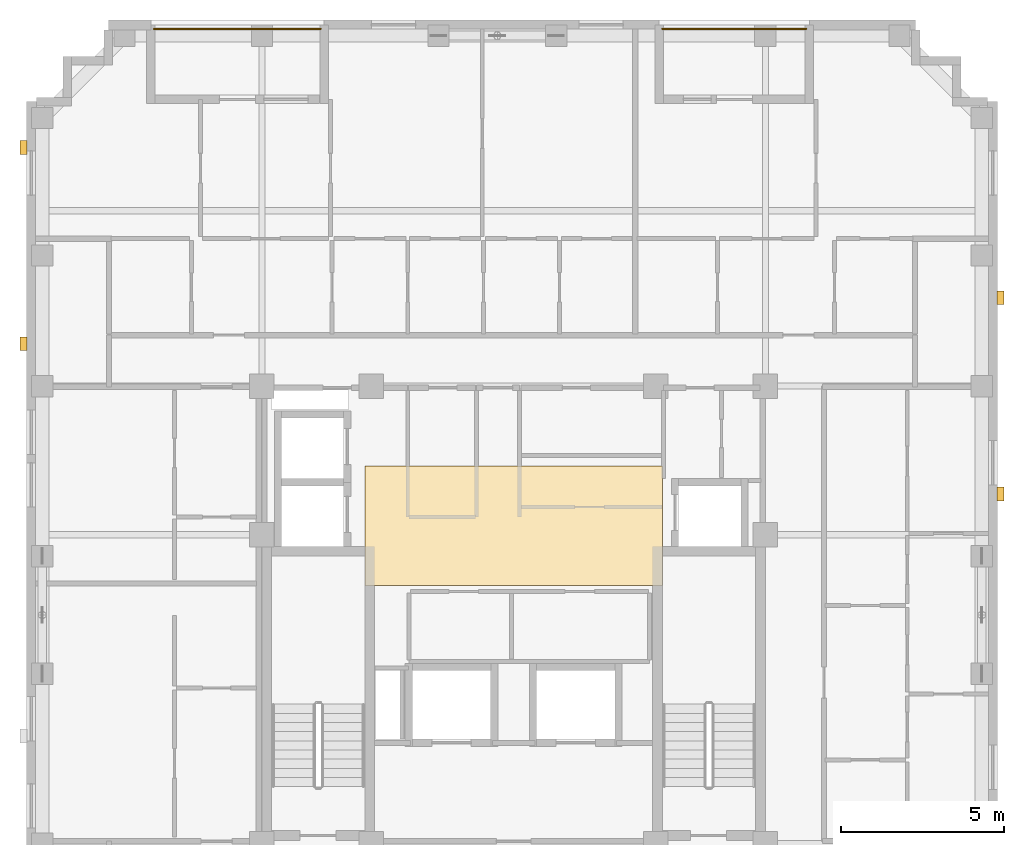
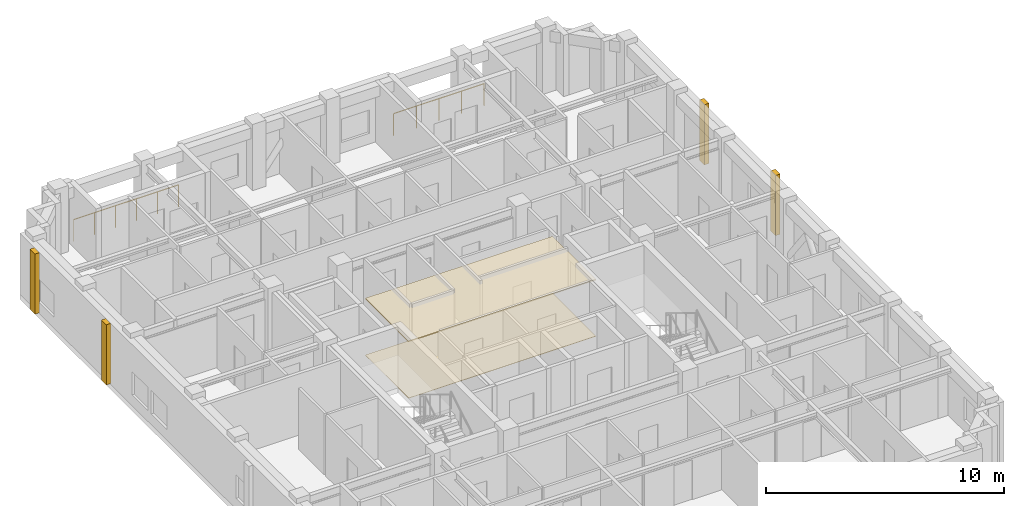
# One storey, part 11 of 11: 6 coverings, 2 railings.
"""IFC4 building model written with IfcOpenShell, lengths in metres."""

from ifc_helpers import new_model, si_unit, derived_unit, direction, frame, origin, origin_2d, place, context, subcontext, project, spatial, polyline, rectangle, circle, outline, extrude, material, layer, layer_set, type_object, element, save


model = new_model("IFC4")

# Units and contexts
model_context = context("Model", 3, precision=1e-05, world=origin(), true_north=direction((0.0, 1.0)))
body_context = subcontext(model_context, "Body", "Model", "MODEL_VIEW")
ifc_project = project(units=[si_unit("LENGTHUNIT", "METRE"), si_unit("AREAUNIT", "SQUARE_METRE"), si_unit("VOLUMEUNIT", "CUBIC_METRE"), si_unit("PLANEANGLEUNIT", "RADIAN"), si_unit("MASSUNIT", "GRAM", prefix="KILO"), derived_unit("THERMALTRANSMITTANCEUNIT", [(si_unit("MASSUNIT", "GRAM", prefix="KILO"), 1), (si_unit("TIMEUNIT", "SECOND"), -3), (si_unit("THERMODYNAMICTEMPERATUREUNIT", "KELVIN"), -1)])], contexts=[model_context])

# Site, building, storey
site_placement = place(None, origin())
site = spatial("IfcSite", under=ifc_project, at=site_placement, CompositionType="ELEMENT")
building_placement = place(site_placement, origin())
building = spatial("IfcBuilding", under=site, at=building_placement, Name="Korrvale Station Residences", CompositionType="ELEMENT")
storey_placement = place(building_placement, frame((0.0, 0.0, 254.699951171875)))
storey = spatial("IfcBuildingStorey", under=building, at=storey_placement, Name="L74", CompositionType="ELEMENT", Elevation=254.699951171875)

# Coverings
ifc_material_1 = material(Name="Perforated acoustic mineral-fibre suspended ceiling", Category="gypsum")
ifc_layer_1 = layer(ifc_material_1, 0.050048828125, Name="Perforated acoustic mineral-fibre suspended ceiling")
ifc_layer_set_1 = layer_set([ifc_layer_1], Name="Perforated acoustic mineral-fibre suspended ceiling")
covering_type_1 = type_object("IfcCoveringType", Name="COV-CLG-AC60", PredefinedType="CEILING", material=ifc_layer_set_1)
covering_1_placement = place(storey_placement, frame((0.0, 0.0, 2.89013671875)))
element("IfcCovering", 1, at=covering_1_placement, inside=storey, type_object=covering_type_1, Name="L74 Elevator Lobby Acoustic Ceiling", PredefinedType="CEILING", context=body_context, shape_type="SweptSolid", body=[
    extrude(outline(polyline([(20.949951171875, 22.89990234375), (30.050048828125, 22.89990234375), (30.050048828125, 26.550048828125), (20.949951171875, 26.550048828125), (20.949951171875, 22.89990234375)])), origin(), (0.0, 0.0, 1.0), 0.0498046875),
])
ifc_material_2 = material(Name="Polished quartz-terrazzo lobby flooring", Category="masonry")
ifc_layer_2 = layer(ifc_material_2, 0.02001953125, Name="Polished quartz-terrazzo lobby flooring")
ifc_layer_set_2 = layer_set([ifc_layer_2], Name="Polished quartz-terrazzo lobby flooring")
covering_type_2 = type_object("IfcCoveringType", Name="COV-FLR-TER20", PredefinedType="FLOORING", material=ifc_layer_set_2)
covering_2_placement = place(storey_placement, origin())
element("IfcCovering", 2, at=covering_2_placement, inside=storey, type_object=covering_type_2, Name="L74 Elevator Lobby Terrazzo Flooring", PredefinedType="FLOORING", context=body_context, shape_type="SweptSolid", body=[
    extrude(outline(polyline([(20.949951171875, 22.89990234375), (30.050048828125, 22.89990234375), (30.050048828125, 26.550048828125), (20.949951171875, 26.550048828125), (20.949951171875, 22.89990234375)])), origin(), (0.0, 0.0, 1.0), 0.02001953125),
])
ifc_material_3 = material(Name="Architectural precast concrete C45/55", Category="concrete")
ifc_layer_3 = layer(ifc_material_3, 0.219970703125, Name="Architectural precast concrete C45/55")
ifc_layer_set_3 = layer_set([ifc_layer_3], Name="Architectural precast concrete C45/55")
covering_type_3 = type_object("IfcCoveringType", Name="COV-PIER-400", PredefinedType="CLADDING", material=ifc_layer_set_3)
for number, where, z_axis, x_axis, name in (
    (3, (10.510009765625, 30.300048828125, 0.02490234375), (0.0, 0.0, 1.0), (0.0, 1.0, 0.0), "L74 Architectural Precast Facade Pier 04"),
    (4, (10.510009765625, 36.300048828125, 0.02490234375), (0.0, 0.0, 1.0), (0.0, 1.0, 0.0), "L74 Architectural Precast Facade Pier 05"),
    (5, (40.389892578125, 31.699951171875, 0.02490234375), (0.0, 0.0, 1.0), (0.0, 1.0, 0.0), "L74 Architectural Precast Facade Pier 06"),
    (6, (40.389892578125, 25.699951171875, 0.02490234375), (0.0, 0.0, 1.0), (0.0, 1.0, 0.0), "L74 Architectural Precast Facade Pier 07"),
):
    element("IfcCovering", number, at=place(storey_placement, frame(where, z_axis=z_axis, x_axis=x_axis)), inside=storey, type_object=covering_type_3, Name=name, PredefinedType="CLADDING", context=body_context, shape_type="SweptSolid", body=[
        extrude(rectangle(XDim=0.419921875, YDim=0.219970703125, at=origin_2d()), origin(), (0.0, 0.0, 1.0), 3.090087890625),
    ])

# Railings
ifc_material_4 = material(Name="Powder-coated aluminium picket loggia guard", Category="aluminium")
railing_type = type_object("IfcRailingType", Name="RLG-BAL-1150", PredefinedType="GUARDRAIL", material=ifc_material_4)
railing_1_placement = place(storey_placement, frame((14.5, 39.929931640625, 0.0)))
element("IfcRailing", 7, at=railing_1_placement, inside=storey, type_object=railing_type, Name="L74 Recessed Loggia Guardrail BAL-L74-N2", PredefinedType="GUARDRAIL", context=body_context, shape_type="SweptSolid", body=[
    extrude(circle(Radius=0.02392578125, at=origin_2d()), frame((0.0, 0.0, 1.1259765625), z_axis=(1.0, 0.0, 0.0), x_axis=(0.0, 1.0, 0.0)), (0.0, 0.0, 1.0), 5.10009765625),
    extrude(circle(Radius=0.02099609375, at=origin_2d()), origin(), (0.0, 0.0, 1.0), 1.101806640625),
    extrude(circle(Radius=0.02099609375, at=origin_2d()), frame((1.02001953125, 0.0, 0.0)), (0.0, 0.0, 1.0), 1.101806640625),
    extrude(circle(Radius=0.02099609375, at=origin_2d()), frame((2.0400390625, 0.0, 0.0)), (0.0, 0.0, 1.0), 1.101806640625),
    extrude(circle(Radius=0.02099609375, at=origin_2d()), frame((3.06005859375, 0.0, 0.0)), (0.0, 0.0, 1.0), 1.101806640625),
    extrude(circle(Radius=0.02099609375, at=origin_2d()), frame((4.080078125, 0.0, 0.0)), (0.0, 0.0, 1.0), 1.101806640625),
    extrude(circle(Radius=0.02099609375, at=origin_2d()), frame((5.10009765625, 0.0, 0.0)), (0.0, 0.0, 1.0), 1.101806640625),
])
railing_2_placement = place(storey_placement, frame((30.050048828125, 39.929931640625, 0.0)))
element("IfcRailing", 8, at=railing_2_placement, inside=storey, type_object=railing_type, Name="L74 Recessed Loggia Guardrail BAL-L74-N1", PredefinedType="GUARDRAIL", context=body_context, shape_type="SweptSolid", body=[
    extrude(circle(Radius=0.02392578125, at=origin_2d()), frame((0.0, 0.0, 1.1259765625), z_axis=(1.0, 0.0, 0.0), x_axis=(0.0, 1.0, 0.0)), (0.0, 0.0, 1.0), 4.39990234375),
    extrude(circle(Radius=0.02099609375, at=origin_2d()), origin(), (0.0, 0.0, 1.0), 1.101806640625),
    extrude(circle(Radius=0.02099609375, at=origin_2d()), frame((1.10009765625, 0.0, 0.0)), (0.0, 0.0, 1.0), 1.101806640625),
    extrude(circle(Radius=0.02099609375, at=origin_2d()), frame((2.199951171875, 0.0, 0.0)), (0.0, 0.0, 1.0), 1.101806640625),
    extrude(circle(Radius=0.02099609375, at=origin_2d()), frame((3.2998046875, 0.0, 0.0)), (0.0, 0.0, 1.0), 1.101806640625),
    extrude(circle(Radius=0.02099609375, at=origin_2d()), frame((4.39990234375, 0.0, 0.0)), (0.0, 0.0, 1.0), 1.101806640625),
])

save(model, "model.ifc")
